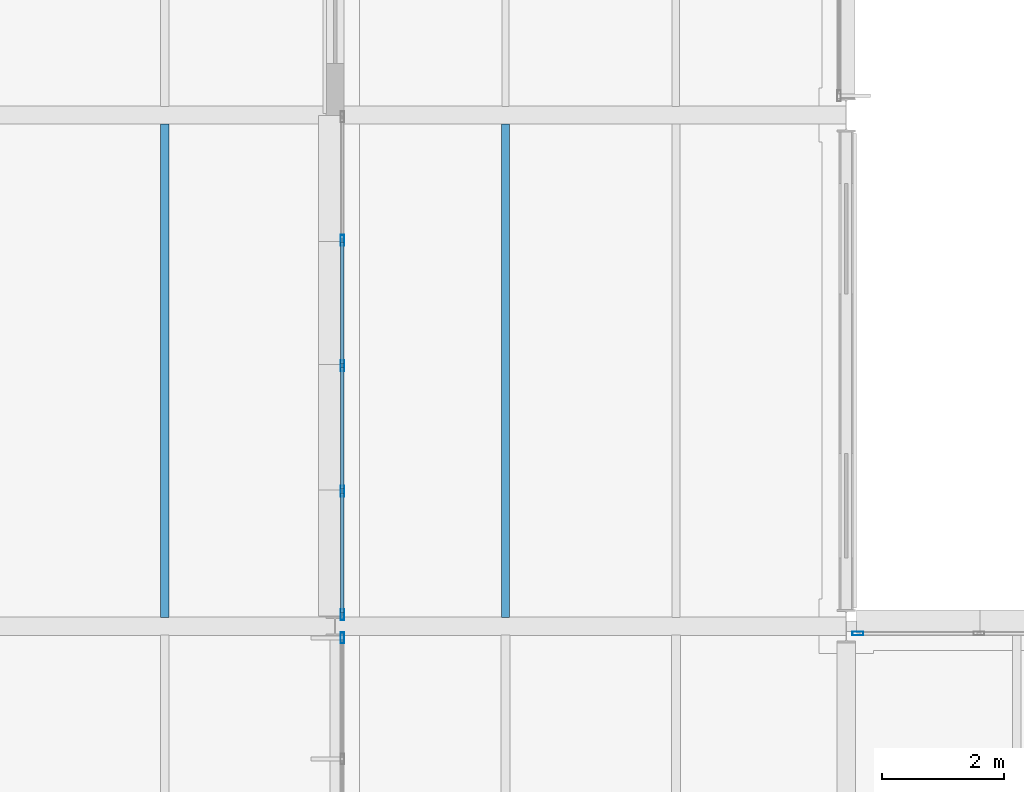
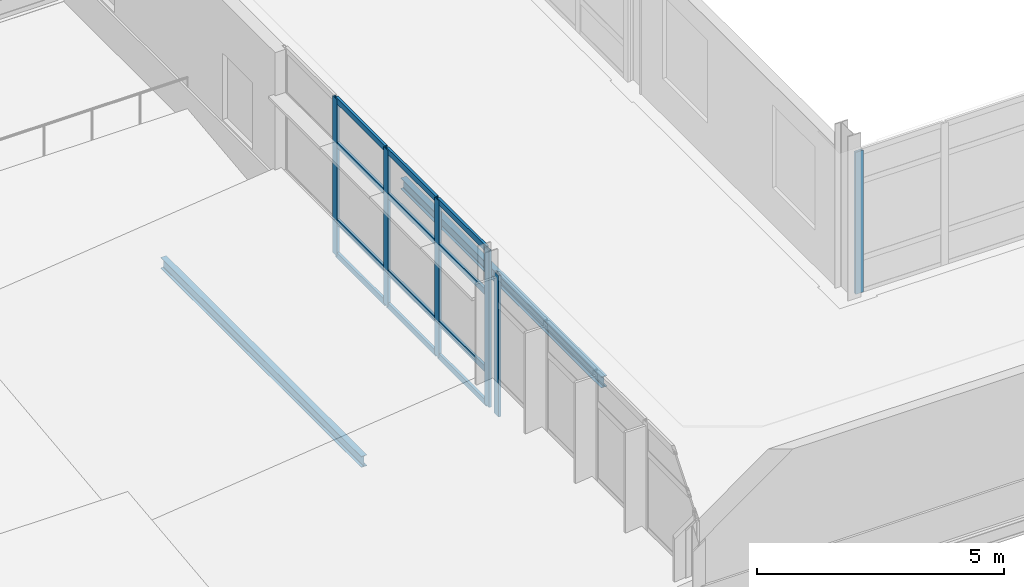
# One storey, part 23 of 131: 18 members, 2 beams, 3 elements without a shape of their own.
"""IFC4 building model written with IfcOpenShell, lengths in metres."""

import ifcopenshell
import ifcopenshell.guid

model = None  # the IFC model being written
_history = None  # IfcOwnerHistory: only IFC2X3 demands one
_inside = {}  # id of a spatial element -> (the spatial element, [elements in it])
_under = {}  # id of a project, library or spatial element -> (it, [spatial elements below it])
_declared = {}  # id of a project -> (the project, [libraries it declares])
_typed = {}  # id of a type object -> (the type object, [elements of that type])
_made_of = {}  # id of a material, layer set ... -> (it, [elements and type objects made of it])


def new_model(schema):
    """Start an empty IFC model of exactly this schema.

    Asked for "IFC4X3", IfcOpenShell would pick the latest addendum, in which some entities
    have other attributes; the version numbers below select the first issue.
    IFC2X3 requires an IfcOwnerHistory on every rooted entity: one is made here for all.
    """
    global model, _history
    if schema == "IFC4X3":
        model = ifcopenshell.file(schema_version=(4, 3, 0, 0))
    else:
        model = ifcopenshell.file(schema=schema)
    _inside.clear()
    _under.clear()
    _declared.clear()
    _typed.clear()
    _made_of.clear()
    _history = None
    if model.schema == "IFC2X3":
        org = make("IfcOrganization", Name="unknown")
        user = make(
            "IfcPersonAndOrganization",
            ThePerson=make("IfcPerson", FamilyName="unknown"),
            TheOrganization=org,
        )
        app = make(
            "IfcApplication",
            ApplicationDeveloper=org,
            Version="unknown",
            ApplicationFullName="unknown",
            ApplicationIdentifier="unknown",
        )
        _history = make(
            "IfcOwnerHistory",
            OwningUser=user,
            OwningApplication=app,
            ChangeAction="ADDED",
            CreationDate=0,
        )
    return model


def make(cls, **values):
    """One entity of the class cls with the attributes given. An attribute that is None is left unset."""
    return model.create_entity(
        cls, **{name: value for name, value in values.items() if value is not None}
    )


def rooted(cls, **values):
    """An entity with a GlobalId (a new one), such as an element, a storey or a relation."""
    return make(cls, GlobalId=ifcopenshell.guid.new(), OwnerHistory=_history, **values)


def si_unit(unit_type, name, prefix=None):
    """IfcSIUnit, for example si_unit("LENGTHUNIT", "METRE", prefix="MILLI")."""
    return make("IfcSIUnit", UnitType=unit_type, Prefix=prefix, Name=name)


def assignment(units):
    """IfcUnitAssignment: the units of a project."""
    return None if units is None else make("IfcUnitAssignment", Units=units)


def point(xyz):
    """IfcCartesianPoint."""
    return None if xyz is None else make("IfcCartesianPoint", Coordinates=xyz)


def direction(xyz):
    """IfcDirection."""
    return None if xyz is None else make("IfcDirection", DirectionRatios=xyz)


def frame(location, z_axis=None, x_axis=None):
    """IfcAxis2Placement3D, a coordinate frame: its origin and axes. An axis left out is left unset."""
    return make(
        "IfcAxis2Placement3D",
        Location=point(location),
        Axis=direction(z_axis),
        RefDirection=direction(x_axis),
    )


def frame_2d(location, x_axis=None):
    """IfcAxis2Placement2D, a coordinate frame in the plane: its origin and x axis."""
    return make(
        "IfcAxis2Placement2D", Location=point(location), RefDirection=direction(x_axis)
    )


def origin():
    """The frame at (0, 0, 0) with its axes left unset."""
    return frame((0.0, 0.0, 0.0))


def origin_2d():
    """The frame at (0, 0) in the plane with its x axis left unset."""
    return frame_2d((0.0, 0.0))


def place(relative_to, where):
    """IfcLocalPlacement: puts the frame where relative to a parent placement (None: the world)."""
    return make(
        "IfcLocalPlacement", PlacementRelTo=relative_to, RelativePlacement=where
    )


def context(
    kind, dimensions, precision=None, world=None, true_north=None, identifier=None
):
    """IfcGeometricRepresentationContext, for example the 3D "Model" context."""
    return make(
        "IfcGeometricRepresentationContext",
        ContextIdentifier=identifier,
        ContextType=kind,
        CoordinateSpaceDimension=dimensions,
        Precision=precision,
        WorldCoordinateSystem=world,
        TrueNorth=true_north,
    )


def subcontext(parent, identifier, kind, view, scale=None):
    """IfcGeometricRepresentationSubContext, for example "Body" below "Model"."""
    return make(
        "IfcGeometricRepresentationSubContext",
        ContextIdentifier=identifier,
        ContextType=kind,
        ParentContext=parent,
        TargetScale=scale,
        TargetView=view,
    )


def project(units=None, contexts=None):
    """IfcProject with its units and contexts."""
    return rooted(
        "IfcProject",
        Name="project",
        RepresentationContexts=contexts,
        UnitsInContext=assignment(units),
    )


def spatial(cls, under=None, at=None, **own):
    """A site, building, storey or space (cls), placed at a placement, below another one or the project."""
    s = rooted(cls, ObjectPlacement=at, **own)
    if under is not None:
        _under.setdefault(under.id(), (under, []))[1].append(s)
    return s


def profile(cls, at=None, kind="AREA", **sizes):
    """A parametric profile (cls). Its sizes go by their IFC names, for example OverallWidth=200.0."""
    return make(cls, ProfileType=kind, Position=at, **sizes)


def hollow_rectangle(**sizes):
    """IfcRectangleHollowProfileDef."""
    return profile("IfcRectangleHollowProfileDef", **sizes)


def i_section(**sizes):
    """IfcIShapeProfileDef."""
    return profile("IfcIShapeProfileDef", **sizes)


def extrude(swept, where, along, depth):
    """IfcExtrudedAreaSolid: the profile swept, set in the frame where, extruded along a direction by depth."""
    return make(
        "IfcExtrudedAreaSolid",
        SweptArea=swept,
        Position=where,
        ExtrudedDirection=direction(along),
        Depth=depth,
    )


def shape(context_of_items, identifier, shape_type, items):
    """IfcShapeRepresentation: the items that make up one representation, for example the "Body"."""
    return make(
        "IfcShapeRepresentation",
        ContextOfItems=context_of_items,
        RepresentationIdentifier=identifier,
        RepresentationType=shape_type,
        Items=items,
    )


def material(Name=None, Category=None):
    """IfcMaterial."""
    return make("IfcMaterial", Name=Name, Category=Category)


def material_profile(
    of_material, cross_section, Name=None, Category=None, Priority=None
):
    """IfcMaterialProfile: a cross section and its material."""
    return make(
        "IfcMaterialProfile",
        Name=Name,
        Material=of_material,
        Profile=cross_section,
        Priority=Priority,
        Category=Category,
    )


def profile_set(profiles, Name=None, composite=None):
    """IfcMaterialProfileSet."""
    return make(
        "IfcMaterialProfileSet",
        Name=Name,
        MaterialProfiles=profiles,
        CompositeProfile=composite,
    )


def made_of(thing, what):
    """Note that an element or type object is made of a material, layer set ...; save() writes the relation."""
    if what is not None:
        _made_of.setdefault(what.id(), (what, []))[1].append(thing)
    return thing


def type_object(cls, material=None, **own):
    """A type object (cls), such as IfcWallType, which elements share."""
    return made_of(rooted(cls, **own), material)


def element(
    cls,
    number,
    at=None,
    inside=None,
    cuts=None,
    type_object=None,
    material=None,
    context=None,
    identifier="Body",
    shape_type=None,
    held_by="IfcProductDefinitionShape",
    body=None,
    shapes=None,
    **own,
):
    """One element of the class cls, such as IfcWall. Its Tag is "e" and its number.

    at: its placement. inside: the storey or other place that contains it. cuts: it is an
    opening in that element (IfcRelVoidsElement). A single representation is given by context,
    identifier, shape_type and body (its items); several are given by shapes. held_by: the class
    of the entity that holds the representations. save() writes the other relations.
    """
    e = rooted(cls, Tag="e%d" % number, ObjectPlacement=at, **own)
    if body is not None:
        shapes = [shape(context, identifier, shape_type, body)]
    if shapes is not None:
        e.Representation = make(held_by, Representations=shapes)
    if inside is not None:
        _inside.setdefault(inside.id(), (inside, []))[1].append(e)
    if cuts is not None:
        rooted(
            "IfcRelVoidsElement", RelatingBuildingElement=cuts, RelatedOpeningElement=e
        )
    if type_object is not None:
        _typed.setdefault(type_object.id(), (type_object, []))[1].append(e)
    return made_of(e, material)


def aggregate(whole, parts):
    """IfcRelAggregates: a whole, such as a stair, and the parts it consists of."""
    return rooted("IfcRelAggregates", RelatingObject=whole, RelatedObjects=parts)


def save(model, path):
    """Write the relations noted so far, then the file.

    IfcRelAggregates (storeys below a building ...), IfcRelContainedInSpatialStructure (elements
    in a storey), IfcRelDefinesByType, IfcRelAssociatesMaterial and IfcRelDeclares: one each for
    every whole, place, type object, material and project.
    """
    for whole, parts in _under.values():
        aggregate(whole, parts)
    for where, things in _inside.values():
        rooted(
            "IfcRelContainedInSpatialStructure",
            RelatedElements=things,
            RelatingStructure=where,
        )
    for kind, things in _typed.values():
        rooted("IfcRelDefinesByType", RelatedObjects=things, RelatingType=kind)
    for what, things in _made_of.values():
        rooted("IfcRelAssociatesMaterial", RelatedObjects=things, RelatingMaterial=what)
    for by, libraries in _declared.values():
        rooted("IfcRelDeclares", RelatingContext=by, RelatedDefinitions=libraries)
    model.write(path)


model = new_model("IFC4")

# Units and contexts
model_context = context("Model", 3, precision=1e-05, world=origin(), true_north=direction((0.0, 1.0)))
body_context = subcontext(model_context, "Body", "Model", "MODEL_VIEW")
ifc_project = project(units=[si_unit("LENGTHUNIT", "METRE"), si_unit("AREAUNIT", "SQUARE_METRE"), si_unit("VOLUMEUNIT", "CUBIC_METRE"), si_unit("PLANEANGLEUNIT", "RADIAN"), si_unit("MASSUNIT", "GRAM", prefix="KILO")], contexts=[model_context])

# Site, building, storey
site_placement = place(None, origin())
site = spatial("IfcSite", under=ifc_project, at=site_placement, CompositionType="ELEMENT")
building_placement = place(site_placement, origin())
building = spatial("IfcBuilding", under=site, at=building_placement, Name="Mersafa Astral City Hall", CompositionType="ELEMENT")
storey_placement = place(building_placement, frame((0.0, 0.0, 13.949951171875)))
storey = spatial("IfcBuildingStorey", under=building, at=storey_placement, Name="L03", CompositionType="ELEMENT", Elevation=13.949951171875)

# Curtain wall, member
ifc_material_1 = material(Name="Anodised bronze aluminium framing", Category="aluminium")
curtain_wall_type_1 = type_object("IfcCurtainWallType", Name="ENV-CW-5", PredefinedType="USERDEFINED", material=ifc_material_1)
curtain_wall_1_placement = place(storey_placement, origin())
curtain_wall_1 = element("IfcCurtainWall", 1, at=curtain_wall_1_placement, inside=storey, type_object=curtain_wall_type_1, Name="L03 Unitised solar curtain wall 148", ObjectType="UNITISED CURTAIN WALL", PredefinedType="USERDEFINED")
ifc_material_profile_1 = material_profile(ifc_material_1, hollow_rectangle(XDim=0.06005859375, YDim=0.179931640625, WallThickness=0.00390625, at=origin_2d()), Name="RHS 60x180x4")
ifc_profile_set_1 = profile_set([ifc_material_profile_1], Name="Anodised bronze aluminium framing")
member_type_1 = type_object("IfcMemberType", Name="ENV-CW-MUL-1", PredefinedType="MULLION", material=ifc_profile_set_1)
member_1_placement = place(storey_placement, frame((109.320068359375, 33.407958984375, -0.001953125), z_axis=(0.0, 0.0, 1.0), x_axis=(1.0, 0.0, 0.0)))
member_1 = element("IfcMember", 2, at=member_1_placement, type_object=member_type_1, Name="CW-5 mullion 1", PredefinedType="MULLION", context=body_context, shape_type="SweptSolid", body=[
    extrude(hollow_rectangle(XDim=0.06005859375, YDim=0.179931640625, WallThickness=0.00390625, at=origin_2d()), origin(), (0.0, 0.0, 1.0), 3.489013671875),
])
aggregate(curtain_wall_1, [member_1])

curtain_wall_type_2 = type_object("IfcCurtainWallType", Name="ENV-CW-2", PredefinedType="USERDEFINED", material=ifc_material_1)
curtain_wall_2_placement = place(storey_placement, origin())
curtain_wall_2 = element("IfcCurtainWall", 3, at=curtain_wall_2_placement, inside=storey, type_object=curtain_wall_type_2, Name="L03 Unitised solar curtain wall 151", ObjectType="UNITISED CURTAIN WALL", PredefinedType="USERDEFINED")
member_2_placement = place(storey_placement, frame((117.7919921875, 33.47998046875, -0.001953125), z_axis=(0.0, 0.0, 1.0), x_axis=(0.0, -1.0, 0.0)))
member_2 = element("IfcMember", 4, at=member_2_placement, type_object=member_type_1, Name="CW-2 mullion 5", PredefinedType="MULLION", context=body_context, shape_type="SweptSolid", body=[
    extrude(hollow_rectangle(XDim=0.06005859375, YDim=0.179931640625, WallThickness=0.00390625, at=origin_2d()), origin(), (0.0, 0.0, 1.0), 3.50390625),
])
aggregate(curtain_wall_2, [member_2])

# Curtain wall, members
curtain_wall_type_3 = type_object("IfcCurtainWallType", Name="ENV-CW-4", PredefinedType="USERDEFINED", material=ifc_material_1)
curtain_wall_3_placement = place(storey_placement, origin())
curtain_wall_3 = element("IfcCurtainWall", 5, at=curtain_wall_3_placement, inside=storey, type_object=curtain_wall_type_3, Name="L03 Unitised solar curtain wall 189", ObjectType="UNITISED CURTAIN WALL", PredefinedType="USERDEFINED")
member_3_placement = place(storey_placement, frame((109.320068359375, 39.9404296875, -0.001953125), z_axis=(0.0, 0.0, 1.0), x_axis=(1.0, 0.0, 0.0)))
member_3 = element("IfcMember", 6, at=member_3_placement, type_object=member_type_1, Name="CW-4 mullion 2", PredefinedType="MULLION", context=body_context, shape_type="SweptSolid", body=[
    extrude(hollow_rectangle(XDim=0.06005859375, YDim=0.179931640625, WallThickness=0.00390625, at=origin_2d()), origin(), (0.0, 0.0, 1.0), 3.866943359375),
])
member_4_placement = place(storey_placement, frame((109.320068359375, 37.881103515625, -0.001953125), z_axis=(0.0, 0.0, 1.0), x_axis=(1.0, 0.0, 0.0)))
member_4 = element("IfcMember", 7, at=member_4_placement, type_object=member_type_1, Name="CW-4 mullion 3", PredefinedType="MULLION", context=body_context, shape_type="SweptSolid", body=[
    extrude(hollow_rectangle(XDim=0.06005859375, YDim=0.179931640625, WallThickness=0.00390625, at=origin_2d()), origin(), (0.0, 0.0, 1.0), 3.866943359375),
])
member_5_placement = place(storey_placement, frame((109.320068359375, 35.821533203125, -0.001953125), z_axis=(0.0, 0.0, 1.0), x_axis=(1.0, 0.0, 0.0)))
member_5 = element("IfcMember", 8, at=member_5_placement, type_object=member_type_1, Name="CW-4 mullion 4", PredefinedType="MULLION", context=body_context, shape_type="SweptSolid", body=[
    extrude(hollow_rectangle(XDim=0.06005859375, YDim=0.179931640625, WallThickness=0.00390625, at=origin_2d()), origin(), (0.0, 0.0, 1.0), 3.866943359375),
])
member_6_placement = place(storey_placement, frame((109.320068359375, 33.7919921875, -0.001953125), z_axis=(0.0, 0.0, 1.0), x_axis=(1.0, 0.0, 0.0)))
member_6 = element("IfcMember", 9, at=member_6_placement, type_object=member_type_1, Name="CW-4 mullion 5", PredefinedType="MULLION", context=body_context, shape_type="SweptSolid", body=[
    extrude(hollow_rectangle(XDim=0.06005859375, YDim=0.179931640625, WallThickness=0.00390625, at=origin_2d()), origin(), (0.0, 0.0, 1.0), 3.866943359375),
])
ifc_material_profile_2 = material_profile(ifc_material_1, hollow_rectangle(XDim=0.06005859375, YDim=0.139892578125, WallThickness=0.00390625, at=origin_2d()), Name="RHS 60x140x4")
ifc_profile_set_2 = profile_set([ifc_material_profile_2], Name="Anodised bronze aluminium framing")
member_type_2 = type_object("IfcMemberType", Name="ENV-CW-TRN-1", PredefinedType="USERDEFINED", material=ifc_profile_set_2)
member_7_placement = place(storey_placement, frame((109.320068359375, 39.910400390625, 0.028076171875), z_axis=(0.0, -1.0, 0.0), x_axis=(1.0, 0.0, 0.0)))
member_7 = element("IfcMember", 10, at=member_7_placement, type_object=member_type_2, Name="CW-4 transom 2.1", ObjectType="TRANSOM", PredefinedType="USERDEFINED", context=body_context, shape_type="SweptSolid", body=[
    extrude(hollow_rectangle(XDim=0.06005859375, YDim=0.139892578125, WallThickness=0.00390625, at=origin_2d()), origin(), (0.0, 0.0, 1.0), 1.99951171875),
])
member_8_placement = place(storey_placement, frame((109.320068359375, 39.910400390625, 0.85009765625), z_axis=(0.0, -1.0, 0.0), x_axis=(1.0, 0.0, 0.0)))
member_8 = element("IfcMember", 11, at=member_8_placement, type_object=member_type_2, Name="CW-4 transom 2.2", ObjectType="TRANSOM", PredefinedType="USERDEFINED", context=body_context, shape_type="SweptSolid", body=[
    extrude(hollow_rectangle(XDim=0.06005859375, YDim=0.139892578125, WallThickness=0.00390625, at=origin_2d()), origin(), (0.0, 0.0, 1.0), 1.99951171875),
])
member_9_placement = place(storey_placement, frame((109.320068359375, 39.910400390625, 2.75), z_axis=(0.0, -1.0, 0.0), x_axis=(1.0, 0.0, 0.0)))
member_9 = element("IfcMember", 12, at=member_9_placement, type_object=member_type_2, Name="CW-4 transom 2.3", ObjectType="TRANSOM", PredefinedType="USERDEFINED", context=body_context, shape_type="SweptSolid", body=[
    extrude(hollow_rectangle(XDim=0.06005859375, YDim=0.139892578125, WallThickness=0.00390625, at=origin_2d()), origin(), (0.0, 0.0, 1.0), 1.99951171875),
])
member_10_placement = place(storey_placement, frame((109.320068359375, 39.910400390625, 3.8349609375), z_axis=(0.0, -1.0, 0.0), x_axis=(1.0, 0.0, 0.0)))
member_10 = element("IfcMember", 13, at=member_10_placement, type_object=member_type_2, Name="CW-4 transom 2.4", ObjectType="TRANSOM", PredefinedType="USERDEFINED", context=body_context, shape_type="SweptSolid", body=[
    extrude(hollow_rectangle(XDim=0.06005859375, YDim=0.139892578125, WallThickness=0.00390625, at=origin_2d()), origin(), (0.0, 0.0, 1.0), 1.99951171875),
])
member_11_placement = place(storey_placement, frame((109.320068359375, 37.85107421875, 0.028076171875), z_axis=(0.0, -1.0, 0.0), x_axis=(1.0, 0.0, 0.0)))
member_11 = element("IfcMember", 14, at=member_11_placement, type_object=member_type_2, Name="CW-4 transom 3.1", ObjectType="TRANSOM", PredefinedType="USERDEFINED", context=body_context, shape_type="SweptSolid", body=[
    extrude(hollow_rectangle(XDim=0.06005859375, YDim=0.139892578125, WallThickness=0.00390625, at=origin_2d()), origin(), (0.0, 0.0, 1.0), 1.99951171875),
])
member_12_placement = place(storey_placement, frame((109.320068359375, 37.85107421875, 0.85009765625), z_axis=(0.0, -1.0, 0.0), x_axis=(1.0, 0.0, 0.0)))
member_12 = element("IfcMember", 15, at=member_12_placement, type_object=member_type_2, Name="CW-4 transom 3.2", ObjectType="TRANSOM", PredefinedType="USERDEFINED", context=body_context, shape_type="SweptSolid", body=[
    extrude(hollow_rectangle(XDim=0.06005859375, YDim=0.139892578125, WallThickness=0.00390625, at=origin_2d()), origin(), (0.0, 0.0, 1.0), 1.99951171875),
])
member_13_placement = place(storey_placement, frame((109.320068359375, 37.85107421875, 2.75), z_axis=(0.0, -1.0, 0.0), x_axis=(1.0, 0.0, 0.0)))
member_13 = element("IfcMember", 16, at=member_13_placement, type_object=member_type_2, Name="CW-4 transom 3.3", ObjectType="TRANSOM", PredefinedType="USERDEFINED", context=body_context, shape_type="SweptSolid", body=[
    extrude(hollow_rectangle(XDim=0.06005859375, YDim=0.139892578125, WallThickness=0.00390625, at=origin_2d()), origin(), (0.0, 0.0, 1.0), 1.99951171875),
])
member_14_placement = place(storey_placement, frame((109.320068359375, 37.85107421875, 3.8349609375), z_axis=(0.0, -1.0, 0.0), x_axis=(1.0, 0.0, 0.0)))
member_14 = element("IfcMember", 17, at=member_14_placement, type_object=member_type_2, Name="CW-4 transom 3.4", ObjectType="TRANSOM", PredefinedType="USERDEFINED", context=body_context, shape_type="SweptSolid", body=[
    extrude(hollow_rectangle(XDim=0.06005859375, YDim=0.139892578125, WallThickness=0.00390625, at=origin_2d()), origin(), (0.0, 0.0, 1.0), 1.99951171875),
])
member_15_placement = place(storey_placement, frame((109.320068359375, 35.79150390625, 0.028076171875), z_axis=(0.0, -1.0, 0.0), x_axis=(1.0, 0.0, 0.0)))
member_15 = element("IfcMember", 18, at=member_15_placement, type_object=member_type_2, Name="CW-4 transom 4.1", ObjectType="TRANSOM", PredefinedType="USERDEFINED", context=body_context, shape_type="SweptSolid", body=[
    extrude(hollow_rectangle(XDim=0.06005859375, YDim=0.139892578125, WallThickness=0.00390625, at=origin_2d()), origin(), (0.0, 0.0, 1.0), 1.969482421875),
])
member_16_placement = place(storey_placement, frame((109.320068359375, 35.79150390625, 0.85009765625), z_axis=(0.0, -1.0, 0.0), x_axis=(1.0, 0.0, 0.0)))
member_16 = element("IfcMember", 19, at=member_16_placement, type_object=member_type_2, Name="CW-4 transom 4.2", ObjectType="TRANSOM", PredefinedType="USERDEFINED", context=body_context, shape_type="SweptSolid", body=[
    extrude(hollow_rectangle(XDim=0.06005859375, YDim=0.139892578125, WallThickness=0.00390625, at=origin_2d()), origin(), (0.0, 0.0, 1.0), 1.969482421875),
])
member_17_placement = place(storey_placement, frame((109.320068359375, 35.79150390625, 2.75), z_axis=(0.0, -1.0, 0.0), x_axis=(1.0, 0.0, 0.0)))
member_17 = element("IfcMember", 20, at=member_17_placement, type_object=member_type_2, Name="CW-4 transom 4.3", ObjectType="TRANSOM", PredefinedType="USERDEFINED", context=body_context, shape_type="SweptSolid", body=[
    extrude(hollow_rectangle(XDim=0.06005859375, YDim=0.139892578125, WallThickness=0.00390625, at=origin_2d()), origin(), (0.0, 0.0, 1.0), 1.969482421875),
])
member_18_placement = place(storey_placement, frame((109.320068359375, 35.79150390625, 3.8349609375), z_axis=(0.0, -1.0, 0.0), x_axis=(1.0, 0.0, 0.0)))
member_18 = element("IfcMember", 21, at=member_18_placement, type_object=member_type_2, Name="CW-4 transom 4.4", ObjectType="TRANSOM", PredefinedType="USERDEFINED", context=body_context, shape_type="SweptSolid", body=[
    extrude(hollow_rectangle(XDim=0.06005859375, YDim=0.139892578125, WallThickness=0.00390625, at=origin_2d()), origin(), (0.0, 0.0, 1.0), 1.969482421875),
])
aggregate(curtain_wall_3, [member_3, member_4, member_5, member_6, member_7, member_8, member_9, member_10, member_11, member_12, member_13, member_14, member_15, member_16, member_17, member_18])

# Beams
ifc_material_2 = material(Name="Steel S355", Category="steel")
ifc_material_profile_3 = material_profile(ifc_material_2, i_section(OverallWidth=0.135009765625, OverallDepth=0.27001953125, WebThickness=0.006591796875, FlangeThickness=0.01025390625, FilletRadius=0.014892578125, at=origin_2d()), Name="IPE 270")
ifc_profile_set_3 = profile_set([ifc_material_profile_3], Name="Steel S355")
beam_type = type_object("IfcBeamType", Name="STR-BM-JOIST-IPE270", PredefinedType="JOIST", material=ifc_profile_set_3)
for number, where, z_axis, x_axis, name in (
    (22, (112.0, 33.7451171875, -0.3349609375), (0.0, 1.0, 0.0), (-1.0, 0.0, 0.0), "L03 Composite secondary floor joist 608"),
    (23, (106.39990234375, 33.7451171875, -0.3349609375), (0.0, 1.0, 0.0), (-1.0, 0.0, 0.0), "L03 Flat roof secondary joist 22"),
):
    element("IfcBeam", number, at=place(storey_placement, frame(where, z_axis=z_axis, x_axis=x_axis)), inside=storey, type_object=beam_type, Name=name, PredefinedType="JOIST", context=body_context, shape_type="SweptSolid", body=[
        extrude(i_section(OverallWidth=0.135009765625, OverallDepth=0.27001953125, WebThickness=0.006591796875, FlangeThickness=0.01025390625, FilletRadius=0.014892578125, at=origin_2d()), origin(), (0.0, 0.0, 1.0), 8.10986328125),
    ])

save(model, "model.ifc")
